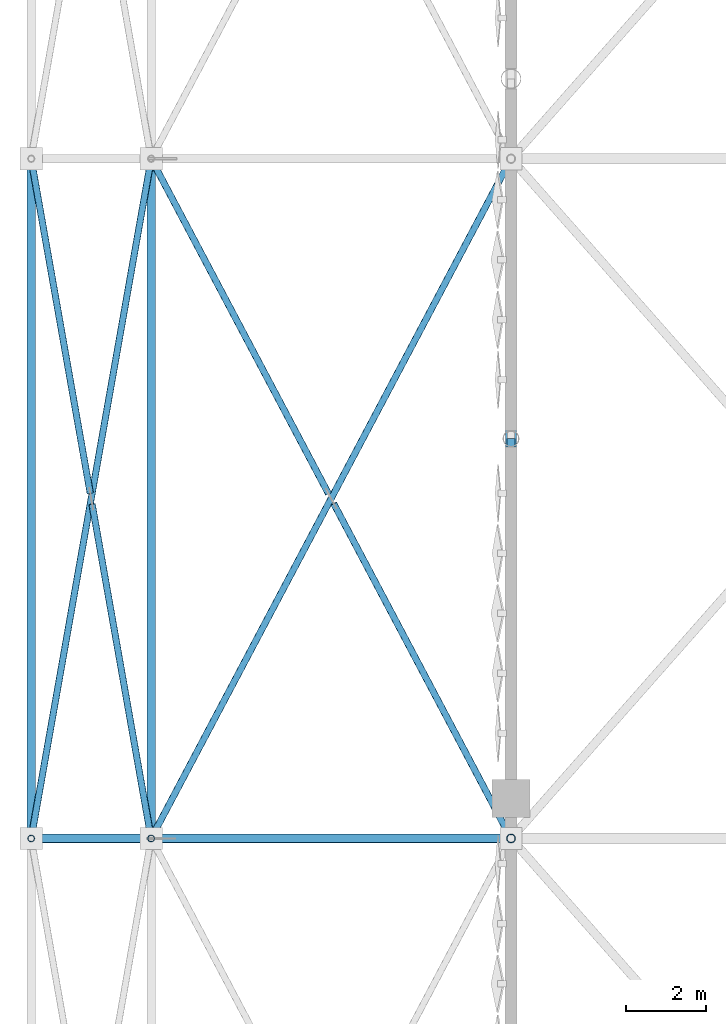
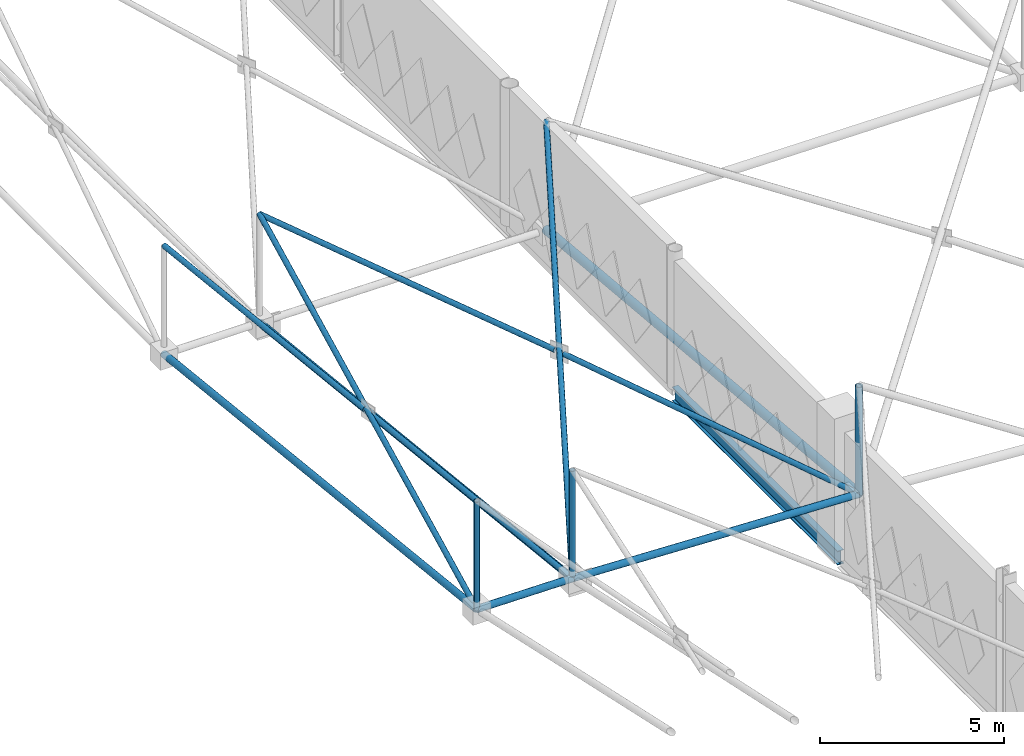
# One storey, part 30 of 224: 14 members, 1 beam.
"""IFC4 building model written with IfcOpenShell, lengths in metres."""

from ifc_helpers import new_model, si_unit, direction, frame, origin, origin_2d, place, context, subcontext, project, spatial, hollow_circle, i_section, extrude, material, material_profile, profile_set, type_object, element, save


model = new_model("IFC4")

# Units and contexts
model_context = context("Model", 3, precision=1e-05, world=origin(), true_north=direction((0.0, 1.0)))
body_context = subcontext(model_context, "Body", "Model", "MODEL_VIEW")
ifc_project = project(units=[si_unit("LENGTHUNIT", "METRE"), si_unit("AREAUNIT", "SQUARE_METRE"), si_unit("VOLUMEUNIT", "CUBIC_METRE"), si_unit("PLANEANGLEUNIT", "RADIAN"), si_unit("MASSUNIT", "GRAM", prefix="KILO")], contexts=[model_context])

# Site, building, storey
site_placement = place(None, origin())
site = spatial("IfcSite", under=ifc_project, at=site_placement, CompositionType="ELEMENT")
building_placement = place(site_placement, origin())
building = spatial("IfcBuilding", under=site, at=building_placement, Name="Qamarlyn Nura Convention Centre", CompositionType="ELEMENT")
storey_placement = place(building_placement, frame((0.0, 0.0, 10.800048828125)))
storey = spatial("IfcBuildingStorey", under=building, at=storey_placement, Name="L02", CompositionType="ELEMENT", Elevation=10.800048828125)

# Beam
ifc_material_1 = material(Name="Steel ASTM A992", Category="steel")
ifc_material_profile_1 = material_profile(ifc_material_1, i_section(OverallWidth=0.193115234375, OverallDepth=0.466064453125, WebThickness=0.011474609375, FlangeThickness=0.01904296875, FilletRadius=0.012939453125, at=origin_2d()), Name="W460X97")
ifc_profile_set_1 = profile_set([ifc_material_profile_1], Name="Steel ASTM A992")
beam_type = type_object("IfcBeamType", Name="BM-SPAN-460", PredefinedType="SPANDREL", material=ifc_profile_set_1)
beam_placement = place(storey_placement, frame((0.0, 36.0, -0.233154296875), z_axis=(0.0, 1.0, 0.0), x_axis=(-1.0, 0.0, 0.0)))
element("IfcBeam", 1, at=beam_placement, inside=storey, type_object=beam_type, Name="L02 girder 1 E-F", PredefinedType="SPANDREL", context=body_context, shape_type="SweptSolid", body=[
    extrude(i_section(OverallWidth=0.193115234375, OverallDepth=0.466064453125, WebThickness=0.011474609375, FlangeThickness=0.01904296875, FilletRadius=0.012939453125, at=origin_2d()), origin(), (0.0, 0.0, 1.0), 9.0),
])

# Members
ifc_material_2 = material(Name="Pearl-white PVDF steel ASTM A500 Grade C", Category="steel")
ifc_material_profile_2 = material_profile(ifc_material_2, hollow_circle(Radius=0.109619140625, WallThickness=0.010009765625, at=origin_2d()), Name="CHS219.1X10")
ifc_profile_set_2 = profile_set([ifc_material_profile_2], Name="Pearl-white PVDF steel ASTM A500 Grade C")
member_type_1 = type_object("IfcMemberType", Name="SF-BC-EAVE", PredefinedType="CHORD", material=ifc_profile_set_2)
member_1_placement = place(storey_placement, frame((-12.0, 35.0, 2.857666015625), z_axis=(0.999963494154, 0.0, -0.008544609935), x_axis=(0.0, 1.0, 0.0)))
element("IfcMember", 2, at=member_1_placement, inside=storey, type_object=member_type_1, Name="ROOF TRUSS space frame bottom chord X0-3", PredefinedType="CHORD", context=body_context, shape_type="SweptSolid", body=[
    extrude(hollow_circle(Radius=0.109619140625, WallThickness=0.010009765625, at=origin_2d()), origin(), (0.0, 0.0, 1.0), 3.0),
])
member_2_placement = place(storey_placement, frame((-9.0, 35.0, 2.83203125), z_axis=(0.999251614623, 0.0, -0.038680882543), x_axis=(0.0, 1.0, 0.0)))
element("IfcMember", 3, at=member_2_placement, inside=storey, type_object=member_type_1, Name="ROOF TRUSS space frame bottom chord X1-3", PredefinedType="CHORD", context=body_context, shape_type="SweptSolid", body=[
    extrude(hollow_circle(Radius=0.109619140625, WallThickness=0.010009765625, at=origin_2d()), origin(), (0.0, 0.0, 1.0), 9.0068359375),
])
member_3_placement = place(storey_placement, frame((-12.0, 35.0, 2.857666015625), z_axis=(0.0, 0.994150129904, -0.108007033156), x_axis=(-1.0, 0.0, 0.0)))
element("IfcMember", 4, at=member_3_placement, inside=storey, type_object=member_type_1, Name="ROOF TRUSS space frame bottom chord Y0-3", PredefinedType="CHORD", context=body_context, shape_type="SweptSolid", body=[
    extrude(hollow_circle(Radius=0.109619140625, WallThickness=0.010009765625, at=origin_2d()), origin(), (0.0, 0.0, 1.0), 17.10009765625),
])
member_4_placement = place(storey_placement, frame((-9.0, 35.0, 2.83203125), z_axis=(0.0, 0.994278213188, -0.106821508974), x_axis=(-1.0, 0.0, 0.0)))
element("IfcMember", 5, at=member_4_placement, inside=storey, type_object=member_type_1, Name="ROOF TRUSS space frame bottom chord Y1-3", PredefinedType="CHORD", context=body_context, shape_type="SweptSolid", body=[
    extrude(hollow_circle(Radius=0.109619140625, WallThickness=0.010009765625, at=origin_2d()), origin(), (0.0, 0.0, 1.0), 17.097900390625),
])
ifc_material_profile_3 = material_profile(ifc_material_2, hollow_circle(Radius=0.136474609375, WallThickness=0.012451171875, at=origin_2d()), Name="CHS273X12.5")
ifc_profile_set_3 = profile_set([ifc_material_profile_3], Name="Pearl-white PVDF steel ASTM A500 Grade C")
member_type_2 = type_object("IfcMemberType", Name="SF-BC-MAIN", PredefinedType="CHORD", material=ifc_profile_set_3)
member_5_placement = place(storey_placement, frame((0.0, 35.0, 2.483642578125), z_axis=(0.0, 0.995888281299, -0.090589906562), x_axis=(-1.0, 0.0, 0.0)))
element("IfcMember", 6, at=member_5_placement, inside=storey, type_object=member_type_2, Name="ROOF TRUSS space frame bottom chord Y2-3", PredefinedType="CHORD", context=body_context, shape_type="SweptSolid", body=[
    extrude(hollow_circle(Radius=0.136474609375, WallThickness=0.012451171875, at=origin_2d()), origin(), (0.0, 0.0, 1.0), 17.070068359375),
])
ifc_material_profile_4 = material_profile(ifc_material_2, hollow_circle(Radius=0.109619140625, WallThickness=0.010009765625, at=origin_2d()), Name="CHS219.1X10")
ifc_profile_set_4 = profile_set([ifc_material_profile_4], Name="Pearl-white PVDF steel ASTM A500 Grade C")
member_type_3 = type_object("IfcMemberType", Name="SF-WEB-HVY", PredefinedType="BRACE", material=ifc_profile_set_4)
member_6_placement = place(storey_placement, frame((0.0, 35.0, 2.483642578125), z_axis=(0.0, 0.0, 1.0), x_axis=(1.0, 0.0, 0.0)))
element("IfcMember", 7, at=member_6_placement, inside=storey, type_object=member_type_3, Name="ROOF TRUSS space frame vertical 2-3", PredefinedType="BRACE", context=body_context, shape_type="SweptSolid", body=[
    extrude(hollow_circle(Radius=0.109619140625, WallThickness=0.010009765625, at=origin_2d()), origin(), (0.0, 0.0, 1.0), 3.60009765625),
])
ifc_material_profile_5 = material_profile(ifc_material_2, hollow_circle(Radius=0.084228515625, WallThickness=0.008056640625, at=origin_2d()), Name="CHS168.3X8")
ifc_profile_set_5 = profile_set([ifc_material_profile_5], Name="Pearl-white PVDF steel ASTM A500 Grade C")
member_type_4 = type_object("IfcMemberType", Name="SF-WEB-STD", PredefinedType="BRACE", material=ifc_profile_set_5)
member_7_placement = place(storey_placement, frame((-12.0, 35.0, 2.857666015625), z_axis=(0.0, 0.0, 1.0), x_axis=(1.0, 0.0, 0.0)))
element("IfcMember", 8, at=member_7_placement, inside=storey, type_object=member_type_4, Name="ROOF TRUSS space frame vertical 0-3", PredefinedType="BRACE", context=body_context, shape_type="SweptSolid", body=[
    extrude(hollow_circle(Radius=0.084228515625, WallThickness=0.008056640625, at=origin_2d()), origin(), (0.0, 0.0, 1.0), 3.599853515625),
])
member_8_placement = place(storey_placement, frame((-12.0, 35.0, 2.857666015625), z_axis=(0.172901382697, 0.979774501949, 0.100732503152), x_axis=(-0.984783558818, 0.173785333909, 0.0)))
element("IfcMember", 9, at=member_8_placement, inside=storey, type_object=member_type_4, Name="ROOF TRUSS space frame diagonal A 0-3", PredefinedType="BRACE", context=body_context, shape_type="SweptSolid", body=[
    extrude(hollow_circle(Radius=0.084228515625, WallThickness=0.008056640625, at=origin_2d()), origin(), (0.0, 0.0, 1.0), 17.350830078125),
])
member_9_placement = place(storey_placement, frame((-9.0, 35.0, 2.83203125), z_axis=(-0.172864314775, 0.979535854147, 0.103089471425), x_axis=(-0.984782690535, -0.17379025411, 0.0)))
element("IfcMember", 10, at=member_9_placement, inside=storey, type_object=member_type_4, Name="ROOF TRUSS space frame split diagonal B1 0-3", PredefinedType="BRACE", context=body_context, shape_type="SweptSolid", body=[
    extrude(hollow_circle(Radius=0.084228515625, WallThickness=0.008056640625, at=origin_2d()), origin(), (0.0, 0.0, 1.0), 8.53759765625),
])
member_10_placement = place(storey_placement, frame((-10.524169921875, 43.63720703125, 3.74072265625), z_axis=(-0.172885597191, 0.979656450982, 0.101900973167), x_axis=(-0.984782690535, -0.17379025411, 0.0)))
element("IfcMember", 11, at=member_10_placement, inside=storey, type_object=member_type_4, Name="ROOF TRUSS space frame split diagonal B2 0-3", PredefinedType="BRACE", context=body_context, shape_type="SweptSolid", body=[
    extrude(hollow_circle(Radius=0.084228515625, WallThickness=0.008056640625, at=origin_2d()), origin(), (0.0, 0.0, 1.0), 8.536376953125),
])
member_11_placement = place(storey_placement, frame((-9.0, 35.0, 2.83203125), z_axis=(0.0, 0.0, 1.0), x_axis=(1.0, 0.0, 0.0)))
element("IfcMember", 12, at=member_11_placement, inside=storey, type_object=member_type_4, Name="ROOF TRUSS space frame vertical 1-3", PredefinedType="BRACE", context=body_context, shape_type="SweptSolid", body=[
    extrude(hollow_circle(Radius=0.084228515625, WallThickness=0.008056640625, at=origin_2d()), origin(), (0.0, 0.0, 1.0), 3.60009765625),
])
member_12_placement = place(storey_placement, frame((-9.0, 35.0, 2.83203125), z_axis=(0.466059738355, 0.880335061337, 0.088309116548), x_axis=(-0.883787916347, 0.467887720419, 0.0)))
element("IfcMember", 13, at=member_12_placement, inside=storey, type_object=member_type_4, Name="ROOF TRUSS space frame diagonal A 1-3", PredefinedType="BRACE", context=body_context, shape_type="SweptSolid", body=[
    extrude(hollow_circle(Radius=0.084228515625, WallThickness=0.008056640625, at=origin_2d()), origin(), (0.0, 0.0, 1.0), 19.310791015625),
])
member_13_placement = place(storey_placement, frame((0.0, 35.0, 2.483642578125), z_axis=(-0.46467596681, 0.877729797589, 0.116904440866), x_axis=(-0.883789795938, -0.467884170063, 0.0)))
element("IfcMember", 14, at=member_13_placement, inside=storey, type_object=member_type_4, Name="ROOF TRUSS space frame split diagonal B1 1-3", PredefinedType="BRACE", context=body_context, shape_type="SweptSolid", body=[
    extrude(hollow_circle(Radius=0.084228515625, WallThickness=0.008056640625, at=origin_2d()), origin(), (0.0, 0.0, 1.0), 9.5439453125),
])
member_14_placement = place(storey_placement, frame((-4.565185546875, 43.623046875, 3.6298828125), z_axis=(-0.465425324821, 0.879145265359, 0.102385884833), x_axis=(-0.883789795938, -0.467884170063, 0.0)))
element("IfcMember", 15, at=member_14_placement, inside=storey, type_object=member_type_4, Name="ROOF TRUSS space frame split diagonal B2 1-3", PredefinedType="BRACE", context=body_context, shape_type="SweptSolid", body=[
    extrude(hollow_circle(Radius=0.084228515625, WallThickness=0.008056640625, at=origin_2d()), origin(), (0.0, 0.0, 1.0), 9.528564453125),
])

save(model, "model.ifc")
